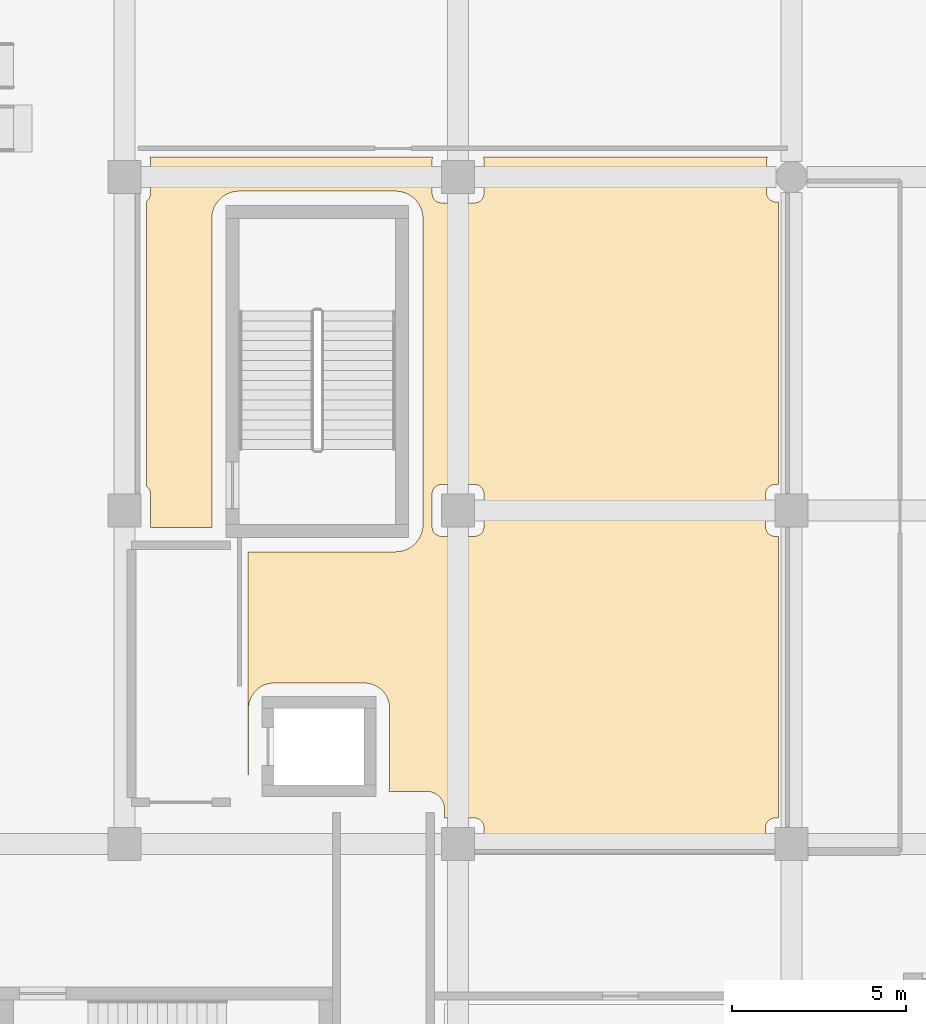
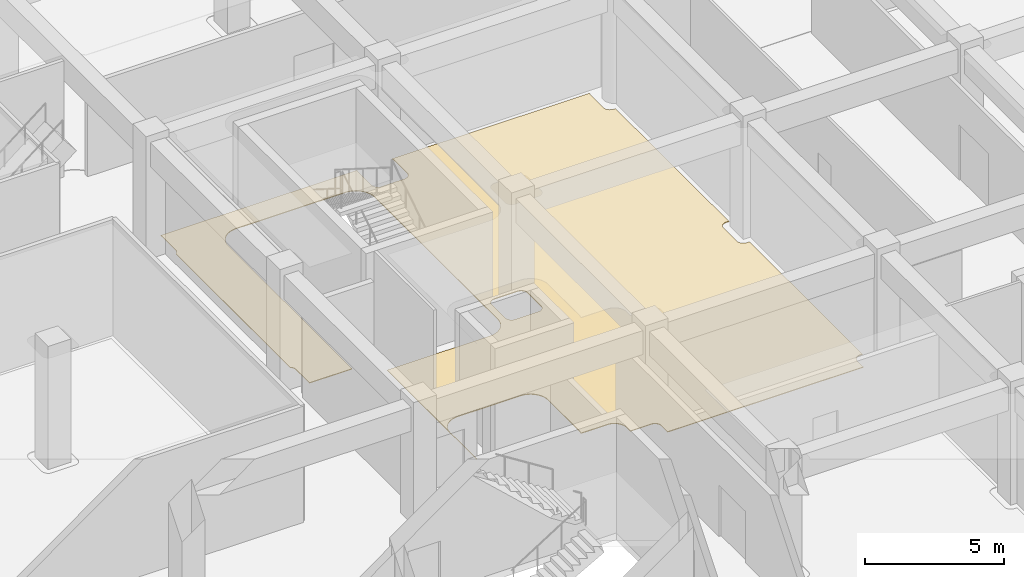
# One storey, part 49 of 74: 1 covering.
"""IFC4 building model written with IfcOpenShell, lengths in metres."""

from ifc_helpers import new_model, si_unit, direction, origin, place, context, subcontext, project, spatial, polyline, outline, extrude, material, layer, layer_set, type_object, element, save


model = new_model("IFC4")

# Units and contexts
model_context = context("Model", 3, precision=1e-05, world=origin(), true_north=direction((0.0, 1.0)))
body_context = subcontext(model_context, "Body", "Model", "MODEL_VIEW")
ifc_project = project(units=[si_unit("LENGTHUNIT", "METRE"), si_unit("AREAUNIT", "SQUARE_METRE"), si_unit("VOLUMEUNIT", "CUBIC_METRE"), si_unit("PLANEANGLEUNIT", "RADIAN"), si_unit("MASSUNIT", "GRAM", prefix="KILO")], contexts=[model_context])

# Site, building, storey
site_placement = place(None, origin())
site = spatial("IfcSite", under=ifc_project, at=site_placement, CompositionType="ELEMENT")
building_placement = place(site_placement, origin())
building = spatial("IfcBuilding", under=site, at=building_placement, Name="Cendralis Terraced Arcade", CompositionType="ELEMENT")
storey_placement = place(building_placement, origin())
storey = spatial("IfcBuildingStorey", under=building, at=storey_placement, Name="L00", CompositionType="ELEMENT", Elevation=0.0)

# Covering
ifc_material = material(Name="Polished Bogota limestone terrazzo flooring", Category="masonry")
ifc_layer = layer(ifc_material, 0.030029296875, Name="COV-FLR-TERZ-30")
ifc_layer_set = layer_set([ifc_layer], Name="Polished Bogota limestone terrazzo flooring")
covering_type = type_object("IfcCoveringType", Name="COV-FLR-TERZ-30", PredefinedType="FLOORING", material=ifc_layer_set)
covering_placement = place(storey_placement, origin())
element("IfcCovering", 1, at=covering_placement, inside=storey, type_object=covering_type, Name="Interior Finish Flooring L00-030", PredefinedType="FLOORING", context=body_context, shape_type="SweptSolid", body=[
    extrude(outline(polyline([(48.74462890625, 28.310791015625), (48.74462890625, 28.312744140625), (48.7451171875, 28.324951171875), (48.7451171875, 29.27490234375), (48.74462890625, 29.287353515625), (48.74462890625, 29.289306640625), (48.7421875, 29.313720703125), (48.741943359375, 29.315673828125), (48.737060546875, 29.339599609375), (48.736572265625, 29.341552734375), (48.7294921875, 29.364990234375), (48.72900390625, 29.366943359375), (48.719482421875, 29.389404296875), (48.718505859375, 29.391357421875), (48.70703125, 29.4130859375), (48.7060546875, 29.41455078125), (48.6923828125, 29.43505859375), (48.69140625, 29.4365234375), (48.67578125, 29.45556640625), (48.67431640625, 29.45703125), (48.656982421875, 29.474365234375), (48.655517578125, 29.4755859375), (48.63671875, 29.4912109375), (48.635009765625, 29.492431640625), (48.6298828125, 29.495849609375), (48.6298828125, 37.7041015625), (48.635009765625, 37.70751953125), (48.63671875, 37.708740234375), (48.655517578125, 37.724365234375), (48.656982421875, 37.7255859375), (48.67431640625, 37.742919921875), (48.67578125, 37.744384765625), (48.69140625, 37.763427734375), (48.6923828125, 37.764892578125), (48.7060546875, 37.785400390625), (48.70703125, 37.787109375), (48.718505859375, 37.80859375), (48.719482421875, 37.810546875), (48.72900390625, 37.8330078125), (48.7294921875, 37.8349609375), (48.736572265625, 37.8583984375), (48.737060546875, 37.8603515625), (48.741943359375, 37.884521484375), (48.7421875, 37.886474609375), (48.74462890625, 37.910888671875), (48.74462890625, 37.91259765625), (48.7451171875, 37.925048828125), (48.7451171875, 38.875), (48.74462890625, 38.88720703125), (48.74462890625, 38.88916015625), (48.7421875, 38.91357421875), (48.741943359375, 38.91552734375), (48.737060546875, 38.939697265625), (48.736572265625, 38.941650390625), (48.7294921875, 38.965087890625), (48.72900390625, 38.966796875), (48.7275390625, 38.969970703125), (56.872314453125, 38.969970703125), (56.87109375, 38.966796875), (56.87060546875, 38.965087890625), (56.86328125, 38.941650390625), (56.86279296875, 38.939697265625), (56.858154296875, 38.91552734375), (56.85791015625, 38.91357421875), (56.85546875, 38.88916015625), (56.855224609375, 38.88720703125), (56.85498046875, 38.875), (56.85498046875, 37.925048828125), (56.855224609375, 37.91259765625), (56.85546875, 37.910888671875), (56.85791015625, 37.886474609375), (56.858154296875, 37.884521484375), (56.86279296875, 37.8603515625), (56.86328125, 37.8583984375), (56.87060546875, 37.8349609375), (56.87109375, 37.8330078125), (56.880615234375, 37.810546875), (56.88134765625, 37.80859375), (56.892822265625, 37.787109375), (56.893798828125, 37.785400390625), (56.90771484375, 37.764892578125), (56.90869140625, 37.763427734375), (56.92431640625, 37.744384765625), (56.925537109375, 37.742919921875), (56.943115234375, 37.7255859375), (56.9443359375, 37.724365234375), (56.96337890625, 37.708740234375), (56.965087890625, 37.70751953125), (56.9853515625, 37.69384765625), (56.987060546875, 37.69287109375), (57.0087890625, 37.681396484375), (57.010498046875, 37.680419921875), (57.033203125, 37.671142578125), (57.034912109375, 37.67041015625), (57.058349609375, 37.663330078125), (57.060302734375, 37.662841796875), (57.08447265625, 37.658203125), (57.08642578125, 37.65771484375), (57.11083984375, 37.655517578125), (57.11279296875, 37.6552734375), (57.125, 37.655029296875), (58.074951171875, 37.655029296875), (58.08740234375, 37.6552734375), (58.089111328125, 37.655517578125), (58.113525390625, 37.65771484375), (58.115478515625, 37.658203125), (58.1396484375, 37.662841796875), (58.1416015625, 37.663330078125), (58.1650390625, 37.67041015625), (58.1669921875, 37.671142578125), (58.189453125, 37.680419921875), (58.19140625, 37.681396484375), (58.212890625, 37.69287109375), (58.214599609375, 37.69384765625), (58.235107421875, 37.70751953125), (58.236572265625, 37.708740234375), (58.255615234375, 37.724365234375), (58.257080078125, 37.7255859375), (58.2744140625, 37.742919921875), (58.275634765625, 37.744384765625), (58.291259765625, 37.763427734375), (58.29248046875, 37.764892578125), (58.30615234375, 37.785400390625), (58.30712890625, 37.787109375), (58.318603515625, 37.80859375), (58.319580078125, 37.810546875), (58.328857421875, 37.8330078125), (58.32958984375, 37.8349609375), (58.336669921875, 37.8583984375), (58.337158203125, 37.8603515625), (58.341796875, 37.884521484375), (58.34228515625, 37.886474609375), (58.344482421875, 37.910888671875), (58.3447265625, 37.91259765625), (58.344970703125, 37.925048828125), (58.344970703125, 38.875), (58.3447265625, 38.88720703125), (58.344482421875, 38.88916015625), (58.34228515625, 38.91357421875), (58.341796875, 38.91552734375), (58.337158203125, 38.939697265625), (58.336669921875, 38.941650390625), (58.32958984375, 38.965087890625), (58.328857421875, 38.966796875), (58.32763671875, 38.969970703125), (66.50830078125, 38.969970703125), (66.50634765625, 38.96630859375), (66.505615234375, 38.964599609375), (66.49609375, 38.94189453125), (66.49560546875, 38.93994140625), (66.48828125, 38.91650390625), (66.48779296875, 38.91455078125), (66.483154296875, 38.890625), (66.48291015625, 38.888671875), (66.48046875, 38.8642578125), (66.480224609375, 38.8623046875), (66.47998046875, 38.85009765625), (66.47998046875, 37.949951171875), (66.480224609375, 37.937744140625), (66.48046875, 37.935791015625), (66.48291015625, 37.911376953125), (66.483154296875, 37.909423828125), (66.48779296875, 37.885498046875), (66.48828125, 37.88330078125), (66.49560546875, 37.860107421875), (66.49609375, 37.858154296875), (66.505615234375, 37.83544921875), (66.50634765625, 37.833740234375), (66.517822265625, 37.81201171875), (66.518798828125, 37.810302734375), (66.53271484375, 37.7900390625), (66.53369140625, 37.788330078125), (66.54931640625, 37.769287109375), (66.550537109375, 37.76806640625), (66.568115234375, 37.75048828125), (66.5693359375, 37.749267578125), (66.58837890625, 37.733642578125), (66.590087890625, 37.732666015625), (66.6103515625, 37.718994140625), (66.612060546875, 37.718017578125), (66.6337890625, 37.706298828125), (66.635498046875, 37.70556640625), (66.658203125, 37.696044921875), (66.659912109375, 37.695556640625), (66.683349609375, 37.6884765625), (66.685302734375, 37.68798828125), (66.70947265625, 37.68310546875), (66.71142578125, 37.682861328125), (66.73583984375, 37.680419921875), (66.73779296875, 37.680419921875), (66.75, 37.679931640625), (66.830078125, 37.679931640625), (66.830078125, 29.544921875), (66.72509765625, 29.544921875), (66.712646484375, 29.544677734375), (66.710693359375, 29.544677734375), (66.686279296875, 29.542236328125), (66.684326171875, 29.5419921875), (66.660400390625, 29.537109375), (66.658447265625, 29.53662109375), (66.635009765625, 29.529541015625), (66.633056640625, 29.52880859375), (66.610595703125, 29.51953125), (66.608642578125, 29.5185546875), (66.5869140625, 29.507080078125), (66.58544921875, 29.506103515625), (66.56494140625, 29.492431640625), (66.5634765625, 29.4912109375), (66.54443359375, 29.4755859375), (66.54296875, 29.474365234375), (66.525634765625, 29.45703125), (66.5244140625, 29.45556640625), (66.5087890625, 29.4365234375), (66.507568359375, 29.43505859375), (66.493896484375, 29.41455078125), (66.492919921875, 29.4130859375), (66.4814453125, 29.391357421875), (66.48046875, 29.389404296875), (66.47119140625, 29.366943359375), (66.470458984375, 29.364990234375), (66.46337890625, 29.341552734375), (66.462890625, 29.339599609375), (66.4580078125, 29.315673828125), (66.457763671875, 29.313720703125), (66.455322265625, 29.289306640625), (66.455322265625, 29.287353515625), (66.455078125, 29.27490234375), (66.455078125, 28.324951171875), (66.455322265625, 28.312744140625), (66.455322265625, 28.310791015625), (66.457763671875, 28.286376953125), (66.4580078125, 28.284423828125), (66.462890625, 28.260498046875), (66.46337890625, 28.25830078125), (66.470458984375, 28.235107421875), (66.47119140625, 28.233154296875), (66.48046875, 28.21044921875), (66.4814453125, 28.208740234375), (66.492919921875, 28.18701171875), (66.493896484375, 28.185302734375), (66.507568359375, 28.1650390625), (66.5087890625, 28.163330078125), (66.5244140625, 28.144287109375), (66.525634765625, 28.14306640625), (66.54296875, 28.12548828125), (66.54443359375, 28.124267578125), (66.5634765625, 28.108642578125), (66.56494140625, 28.107666015625), (66.58544921875, 28.093994140625), (66.5869140625, 28.093017578125), (66.608642578125, 28.081298828125), (66.610595703125, 28.08056640625), (66.633056640625, 28.071044921875), (66.635009765625, 28.070556640625), (66.658447265625, 28.0634765625), (66.660400390625, 28.06298828125), (66.684326171875, 28.05810546875), (66.686279296875, 28.057861328125), (66.710693359375, 28.055419921875), (66.712646484375, 28.055419921875), (66.72509765625, 28.054931640625), (66.830078125, 28.054931640625), (66.830078125, 19.945068359375), (66.72509765625, 19.945068359375), (66.712646484375, 19.944580078125), (66.710693359375, 19.944580078125), (66.686279296875, 19.942138671875), (66.684326171875, 19.94189453125), (66.660400390625, 19.93701171875), (66.658447265625, 19.9365234375), (66.635009765625, 19.929443359375), (66.633056640625, 19.928955078125), (66.610595703125, 19.91943359375), (66.608642578125, 19.918701171875), (66.5869140625, 19.906982421875), (66.58544921875, 19.906005859375), (66.56494140625, 19.892333984375), (66.5634765625, 19.891357421875), (66.54443359375, 19.875732421875), (66.54296875, 19.87451171875), (66.525634765625, 19.85693359375), (66.5244140625, 19.855712890625), (66.5087890625, 19.836669921875), (66.507568359375, 19.8349609375), (66.493896484375, 19.814697265625), (66.492919921875, 19.81298828125), (66.4814453125, 19.791259765625), (66.48046875, 19.78955078125), (66.47119140625, 19.766845703125), (66.470458984375, 19.764892578125), (66.46337890625, 19.74169921875), (66.462890625, 19.739501953125), (66.4580078125, 19.715576171875), (66.457763671875, 19.713623046875), (66.455322265625, 19.689208984375), (66.455322265625, 19.687255859375), (66.455078125, 19.675048828125), (66.455078125, 19.22998046875), (58.344970703125, 19.22998046875), (58.344970703125, 19.675048828125), (58.3447265625, 19.687255859375), (58.344482421875, 19.689208984375), (58.34228515625, 19.713623046875), (58.341796875, 19.715576171875), (58.337158203125, 19.739501953125), (58.336669921875, 19.74169921875), (58.32958984375, 19.764892578125), (58.328857421875, 19.766845703125), (58.319580078125, 19.78955078125), (58.318603515625, 19.791259765625), (58.30712890625, 19.81298828125), (58.30615234375, 19.814697265625), (58.29248046875, 19.8349609375), (58.291259765625, 19.836669921875), (58.275634765625, 19.855712890625), (58.2744140625, 19.85693359375), (58.257080078125, 19.87451171875), (58.255615234375, 19.875732421875), (58.236572265625, 19.891357421875), (58.235107421875, 19.892333984375), (58.214599609375, 19.906005859375), (58.212890625, 19.906982421875), (58.19140625, 19.918701171875), (58.189453125, 19.91943359375), (58.1669921875, 19.928955078125), (58.1650390625, 19.929443359375), (58.1416015625, 19.9365234375), (58.1396484375, 19.93701171875), (58.115478515625, 19.94189453125), (58.113525390625, 19.942138671875), (58.089111328125, 19.944580078125), (58.08740234375, 19.944580078125), (58.074951171875, 19.945068359375), (57.2099609375, 19.945068359375), (57.2099609375, 20.199951171875), (57.2099609375, 20.2060546875), (57.209716796875, 20.2119140625), (57.209716796875, 20.21826171875), (57.208984375, 20.23193359375), (57.2080078125, 20.244140625), (57.206787109375, 20.255859375), (57.205322265625, 20.26806640625), (57.203369140625, 20.281494140625), (57.201171875, 20.293701171875), (57.198974609375, 20.30517578125), (57.1962890625, 20.317138671875), (57.19287109375, 20.33056640625), (57.189697265625, 20.34228515625), (57.186279296875, 20.353515625), (57.182373046875, 20.365234375), (57.177734375, 20.378173828125), (57.17333984375, 20.3896484375), (57.168701171875, 20.400634765625), (57.163818359375, 20.411865234375), (57.157958984375, 20.42431640625), (57.15234375, 20.435302734375), (57.14697265625, 20.445556640625), (57.140869140625, 20.456298828125), (57.1337890625, 20.468017578125), (57.127197265625, 20.478515625), (57.12060546875, 20.48828125), (57.113525390625, 20.498291015625), (57.10546875, 20.50927734375), (57.097900390625, 20.518798828125), (57.09033203125, 20.528076171875), (57.08251953125, 20.537353515625), (57.072998046875, 20.547607421875), (57.064697265625, 20.556396484375), (57.056396484375, 20.564697265625), (57.047607421875, 20.572998046875), (57.037353515625, 20.58251953125), (57.028076171875, 20.59033203125), (57.018798828125, 20.597900390625), (57.00927734375, 20.60546875), (56.998291015625, 20.613525390625), (56.98828125, 20.62060546875), (56.978515625, 20.627197265625), (56.968017578125, 20.6337890625), (56.956298828125, 20.640869140625), (56.945556640625, 20.64697265625), (56.935302734375, 20.65234375), (56.92431640625, 20.657958984375), (56.911865234375, 20.663818359375), (56.900634765625, 20.668701171875), (56.8896484375, 20.67333984375), (56.878173828125, 20.677734375), (56.865234375, 20.682373046875), (56.853515625, 20.686279296875), (56.84228515625, 20.689697265625), (56.83056640625, 20.69287109375), (56.817138671875, 20.6962890625), (56.80517578125, 20.698974609375), (56.793701171875, 20.701171875), (56.781494140625, 20.703369140625), (56.76806640625, 20.705322265625), (56.755859375, 20.706787109375), (56.744140625, 20.7080078125), (56.73193359375, 20.708984375), (56.71826171875, 20.709716796875), (56.7119140625, 20.709716796875), (56.7060546875, 20.7099609375), (56.699951171875, 20.7099609375), (55.6044921875, 20.7099609375), (55.612060546875, 20.739990234375), (55.61474609375, 20.751708984375), (55.616943359375, 20.763427734375), (55.619140625, 20.775390625), (55.624267578125, 20.810302734375), (55.625732421875, 20.822509765625), (55.626953125, 20.834228515625), (55.627685546875, 20.8466796875), (55.629638671875, 20.8818359375), (55.6298828125, 20.887939453125), (55.6298828125, 20.893798828125), (55.6298828125, 20.89990234375), (55.6298828125, 23.10009765625), (55.6298828125, 23.106201171875), (55.6298828125, 23.112060546875), (55.629638671875, 23.1181640625), (55.627685546875, 23.1533203125), (55.626953125, 23.165771484375), (55.625732421875, 23.177490234375), (55.624267578125, 23.189697265625), (55.619140625, 23.224609375), (55.616943359375, 23.236572265625), (55.61474609375, 23.248291015625), (55.612060546875, 23.260009765625), (55.603515625, 23.29443359375), (55.60009765625, 23.30615234375), (55.5966796875, 23.3173828125), (55.593017578125, 23.3291015625), (55.5810546875, 23.3623046875), (55.57666015625, 23.373779296875), (55.572021484375, 23.384765625), (55.567138671875, 23.39599609375), (55.552001953125, 23.427978515625), (55.54638671875, 23.43896484375), (55.541015625, 23.44921875), (55.534912109375, 23.4599609375), (55.5166015625, 23.490234375), (55.510009765625, 23.50048828125), (55.503662109375, 23.510498046875), (55.49658203125, 23.5205078125), (55.4755859375, 23.548828125), (55.468017578125, 23.55859375), (55.46044921875, 23.567626953125), (55.452392578125, 23.576904296875), (55.4287109375, 23.60302734375), (55.420166015625, 23.61181640625), (55.411865234375, 23.6201171875), (55.403076171875, 23.628662109375), (55.376953125, 23.65234375), (55.36767578125, 23.660400390625), (55.3583984375, 23.66796875), (55.348876953125, 23.675537109375), (55.3203125, 23.696533203125), (55.310302734375, 23.70361328125), (55.300537109375, 23.710205078125), (55.290283203125, 23.716796875), (55.260009765625, 23.73486328125), (55.249267578125, 23.740966796875), (55.239013671875, 23.74658203125), (55.227783203125, 23.751953125), (55.196044921875, 23.76708984375), (55.184814453125, 23.77197265625), (55.173828125, 23.776611328125), (55.162353515625, 23.781005859375), (55.129150390625, 23.79296875), (55.117431640625, 23.796630859375), (55.106201171875, 23.800048828125), (55.094482421875, 23.803466796875), (55.06005859375, 23.81201171875), (55.048095703125, 23.814697265625), (55.03662109375, 23.81689453125), (55.0244140625, 23.819091796875), (54.989501953125, 23.82421875), (54.977294921875, 23.82568359375), (54.9658203125, 23.826904296875), (54.953369140625, 23.827880859375), (54.918212890625, 23.82958984375), (54.912109375, 23.829833984375), (54.906005859375, 23.829833984375), (54.89990234375, 23.830078125), (52.300048828125, 23.830078125), (52.2939453125, 23.829833984375), (52.2880859375, 23.829833984375), (52.28173828125, 23.82958984375), (52.24658203125, 23.827880859375), (52.234375, 23.826904296875), (52.22265625, 23.82568359375), (52.21044921875, 23.82421875), (52.175537109375, 23.819091796875), (52.163330078125, 23.81689453125), (52.15185546875, 23.814697265625), (52.139892578125, 23.81201171875), (52.105712890625, 23.803466796875), (52.09375, 23.800048828125), (52.08251953125, 23.796630859375), (52.07080078125, 23.79296875), (52.03759765625, 23.781005859375), (52.026123046875, 23.776611328125), (52.015380859375, 23.77197265625), (52.00390625, 23.76708984375), (51.97216796875, 23.751953125), (51.961181640625, 23.74658203125), (51.95068359375, 23.740966796875), (51.940185546875, 23.73486328125), (51.909912109375, 23.716796875), (51.8994140625, 23.710205078125), (51.8896484375, 23.70361328125), (51.879638671875, 23.696533203125), (51.851318359375, 23.675537109375), (51.841552734375, 23.66796875), (51.83251953125, 23.660400390625), (51.822998046875, 23.65234375), (51.797119140625, 23.628662109375), (51.7880859375, 23.6201171875), (51.77978515625, 23.61181640625), (51.771240234375, 23.60302734375), (51.74755859375, 23.576904296875), (51.739501953125, 23.567626953125), (51.732177734375, 23.55859375), (51.724609375, 23.548828125), (51.70361328125, 23.5205078125), (51.6962890625, 23.510498046875), (51.68994140625, 23.50048828125), (51.683349609375, 23.490234375), (51.6650390625, 23.4599609375), (51.6591796875, 23.44921875), (51.653564453125, 23.43896484375), (51.64794921875, 23.427978515625), (51.6328125, 23.39599609375), (51.6279296875, 23.384765625), (51.623291015625, 23.373779296875), (51.618896484375, 23.3623046875), (51.607177734375, 23.3291015625), (51.603271484375, 23.3173828125), (51.599853515625, 23.30615234375), (51.5966796875, 23.29443359375), (51.587890625, 23.260009765625), (51.585205078125, 23.248291015625), (51.5830078125, 23.236572265625), (51.580810546875, 23.224609375), (51.57568359375, 23.189697265625), (51.57421875, 23.177490234375), (51.572998046875, 23.165771484375), (51.572265625, 23.1533203125), (51.5703125, 23.1181640625), (51.5703125, 23.112060546875), (51.570068359375, 23.106201171875), (51.570068359375, 23.10009765625), (51.570068359375, 21.188720703125), (51.56005859375, 21.187255859375), (51.56005859375, 27.610107421875), (55.800048828125, 27.610107421875), (55.80615234375, 27.610107421875), (55.81201171875, 27.610107421875), (55.818115234375, 27.6103515625), (55.859375, 27.612548828125), (55.87158203125, 27.61328125), (55.88330078125, 27.614501953125), (55.8955078125, 27.615966796875), (55.936279296875, 27.6220703125), (55.9482421875, 27.624267578125), (55.9599609375, 27.62646484375), (55.9716796875, 27.629150390625), (56.01171875, 27.63916015625), (56.023681640625, 27.642333984375), (56.034912109375, 27.64599609375), (56.046630859375, 27.649658203125), (56.08544921875, 27.66357421875), (56.0966796875, 27.66796875), (56.107666015625, 27.672607421875), (56.118896484375, 27.677490234375), (56.15625, 27.695068359375), (56.1669921875, 27.70068359375), (56.177490234375, 27.706298828125), (56.188232421875, 27.712158203125), (56.2236328125, 27.7333984375), (56.23388671875, 27.739990234375), (56.24365234375, 27.74658203125), (56.253662109375, 27.753662109375), (56.286865234375, 27.778076171875), (56.29638671875, 27.78564453125), (56.3056640625, 27.793212890625), (56.31494140625, 27.80126953125), (56.345458984375, 27.828857421875), (56.354248046875, 27.83740234375), (56.36279296875, 27.845703125), (56.37109375, 27.8544921875), (56.398681640625, 27.885009765625), (56.40673828125, 27.894287109375), (56.414306640625, 27.903564453125), (56.421875, 27.9130859375), (56.4462890625, 27.9462890625), (56.45361328125, 27.956298828125), (56.4599609375, 27.966064453125), (56.466552734375, 27.976318359375), (56.48779296875, 28.01171875), (56.493896484375, 28.0224609375), (56.49951171875, 28.032958984375), (56.5048828125, 28.043701171875), (56.5224609375, 28.0810546875), (56.527587890625, 28.09228515625), (56.531982421875, 28.103271484375), (56.536376953125, 28.114501953125), (56.55029296875, 28.1533203125), (56.55419921875, 28.1650390625), (56.5576171875, 28.176513671875), (56.560791015625, 28.188232421875), (56.57080078125, 28.228271484375), (56.573486328125, 28.239990234375), (56.57568359375, 28.251708984375), (56.577880859375, 28.263916015625), (56.583984375, 28.304443359375), (56.58544921875, 28.316650390625), (56.586669921875, 28.328369140625), (56.58740234375, 28.3408203125), (56.589599609375, 28.3818359375), (56.58984375, 28.387939453125), (56.58984375, 28.393798828125), (56.590087890625, 28.39990234375), (56.590087890625, 37.199951171875), (56.58984375, 37.2060546875), (56.58984375, 37.2119140625), (56.589599609375, 37.21826171875), (56.58740234375, 37.25927734375), (56.586669921875, 37.271484375), (56.58544921875, 37.283203125), (56.583984375, 37.29541015625), (56.577880859375, 37.336181640625), (56.57568359375, 37.348388671875), (56.573486328125, 37.35986328125), (56.57080078125, 37.371826171875), (56.560791015625, 37.411865234375), (56.5576171875, 37.423583984375), (56.55419921875, 37.434814453125), (56.55029296875, 37.446533203125), (56.536376953125, 37.4853515625), (56.531982421875, 37.496826171875), (56.527587890625, 37.5078125), (56.5224609375, 37.518798828125), (56.5048828125, 37.55615234375), (56.49951171875, 37.567138671875), (56.493896484375, 37.577392578125), (56.48779296875, 37.588134765625), (56.466552734375, 37.62353515625), (56.4599609375, 37.6337890625), (56.45361328125, 37.643798828125), (56.4462890625, 37.65380859375), (56.421875, 37.68701171875), (56.414306640625, 37.696533203125), (56.40673828125, 37.70556640625), (56.398681640625, 37.71484375), (56.37109375, 37.74560546875), (56.36279296875, 37.75439453125), (56.354248046875, 37.7626953125), (56.345458984375, 37.77099609375), (56.31494140625, 37.798828125), (56.3056640625, 37.806884765625), (56.29638671875, 37.814208984375), (56.286865234375, 37.822021484375), (56.253662109375, 37.846435546875), (56.24365234375, 37.853515625), (56.23388671875, 37.860107421875), (56.2236328125, 37.86669921875), (56.188232421875, 37.8876953125), (56.177490234375, 37.893798828125), (56.1669921875, 37.8994140625), (56.15625, 37.90478515625), (56.118896484375, 37.922607421875), (56.107666015625, 37.927490234375), (56.0966796875, 37.931884765625), (56.08544921875, 37.936279296875), (56.046630859375, 37.9501953125), (56.034912109375, 37.9541015625), (56.023681640625, 37.95751953125), (56.01171875, 37.960693359375), (55.9716796875, 37.970703125), (55.9599609375, 37.973388671875), (55.9482421875, 37.975830078125), (55.936279296875, 37.977783203125), (55.8955078125, 37.98388671875), (55.88330078125, 37.985595703125), (55.87158203125, 37.986572265625), (55.859375, 37.987548828125), (55.818115234375, 37.989501953125), (55.81201171875, 37.98974609375), (55.80615234375, 37.989990234375), (55.800048828125, 37.989990234375), (51.300048828125, 37.989990234375), (51.2939453125, 37.989990234375), (51.2880859375, 37.98974609375), (51.28173828125, 37.989501953125), (51.24072265625, 37.987548828125), (51.228515625, 37.986572265625), (51.216796875, 37.985595703125), (51.20458984375, 37.98388671875), (51.163818359375, 37.977783203125), (51.151611328125, 37.975830078125), (51.14013671875, 37.973388671875), (51.128173828125, 37.970703125), (51.088134765625, 37.960693359375), (51.076416015625, 37.95751953125), (51.065185546875, 37.9541015625), (51.053466796875, 37.9501953125), (51.0146484375, 37.936279296875), (51.003173828125, 37.931884765625), (50.9921875, 37.927490234375), (50.981201171875, 37.922607421875), (50.94384765625, 37.90478515625), (50.932861328125, 37.8994140625), (50.922607421875, 37.893798828125), (50.911865234375, 37.8876953125), (50.87646484375, 37.86669921875), (50.8662109375, 37.860107421875), (50.856201171875, 37.853515625), (50.84619140625, 37.846435546875), (50.81298828125, 37.822021484375), (50.803466796875, 37.814208984375), (50.79443359375, 37.806884765625), (50.78515625, 37.798828125), (50.75439453125, 37.77099609375), (50.74560546875, 37.7626953125), (50.7373046875, 37.75439453125), (50.72900390625, 37.74560546875), (50.701171875, 37.71484375), (50.693115234375, 37.70556640625), (50.685791015625, 37.696533203125), (50.677978515625, 37.68701171875), (50.653564453125, 37.65380859375), (50.646484375, 37.643798828125), (50.639892578125, 37.6337890625), (50.63330078125, 37.62353515625), (50.6123046875, 37.588134765625), (50.606201171875, 37.577392578125), (50.6005859375, 37.567138671875), (50.59521484375, 37.55615234375), (50.577392578125, 37.518798828125), (50.572509765625, 37.5078125), (50.568115234375, 37.496826171875), (50.563720703125, 37.4853515625), (50.5498046875, 37.446533203125), (50.5458984375, 37.434814453125), (50.54248046875, 37.423583984375), (50.539306640625, 37.411865234375), (50.529296875, 37.371826171875), (50.526611328125, 37.35986328125), (50.524169921875, 37.348388671875), (50.522216796875, 37.336181640625), (50.51611328125, 37.29541015625), (50.514404296875, 37.283203125), (50.513427734375, 37.271484375), (50.512451171875, 37.25927734375), (50.510498046875, 37.21826171875), (50.51025390625, 37.2119140625), (50.510009765625, 37.2060546875), (50.510009765625, 37.199951171875), (50.510009765625, 28.39990234375), (50.510009765625, 28.393798828125), (50.51025390625, 28.387939453125), (50.510498046875, 28.3818359375), (50.512451171875, 28.3408203125), (50.513427734375, 28.328369140625), (50.514404296875, 28.316650390625), (50.515380859375, 28.31005859375), (48.744384765625, 28.31005859375), (48.74462890625, 28.310791015625)]), holes=[polyline([(56.9853515625, 28.093994140625), (56.987060546875, 28.093017578125), (57.0087890625, 28.081298828125), (57.010498046875, 28.08056640625), (57.033203125, 28.071044921875), (57.034912109375, 28.070556640625), (57.058349609375, 28.0634765625), (57.060302734375, 28.06298828125), (57.08447265625, 28.05810546875), (57.08642578125, 28.057861328125), (57.11083984375, 28.055419921875), (57.11279296875, 28.055419921875), (57.125, 28.054931640625), (58.074951171875, 28.054931640625), (58.08740234375, 28.055419921875), (58.089111328125, 28.055419921875), (58.113525390625, 28.057861328125), (58.115478515625, 28.05810546875), (58.1396484375, 28.06298828125), (58.1416015625, 28.0634765625), (58.1650390625, 28.070556640625), (58.1669921875, 28.071044921875), (58.189453125, 28.08056640625), (58.19140625, 28.081298828125), (58.212890625, 28.093017578125), (58.214599609375, 28.093994140625), (58.235107421875, 28.107666015625), (58.236572265625, 28.108642578125), (58.255615234375, 28.124267578125), (58.257080078125, 28.12548828125), (58.2744140625, 28.14306640625), (58.275634765625, 28.144287109375), (58.291259765625, 28.163330078125), (58.29248046875, 28.1650390625), (58.30615234375, 28.185302734375), (58.30712890625, 28.18701171875), (58.318603515625, 28.208740234375), (58.319580078125, 28.21044921875), (58.328857421875, 28.233154296875), (58.32958984375, 28.235107421875), (58.336669921875, 28.25830078125), (58.337158203125, 28.260498046875), (58.341796875, 28.284423828125), (58.34228515625, 28.286376953125), (58.344482421875, 28.310791015625), (58.3447265625, 28.312744140625), (58.344970703125, 28.324951171875), (58.344970703125, 29.27490234375), (58.3447265625, 29.287353515625), (58.344482421875, 29.289306640625), (58.34228515625, 29.313720703125), (58.341796875, 29.315673828125), (58.337158203125, 29.339599609375), (58.336669921875, 29.341552734375), (58.32958984375, 29.364990234375), (58.328857421875, 29.366943359375), (58.319580078125, 29.389404296875), (58.318603515625, 29.391357421875), (58.30712890625, 29.4130859375), (58.30615234375, 29.41455078125), (58.29248046875, 29.43505859375), (58.291259765625, 29.4365234375), (58.275634765625, 29.45556640625), (58.2744140625, 29.45703125), (58.257080078125, 29.474365234375), (58.255615234375, 29.4755859375), (58.236572265625, 29.4912109375), (58.235107421875, 29.492431640625), (58.214599609375, 29.506103515625), (58.212890625, 29.507080078125), (58.19140625, 29.5185546875), (58.189453125, 29.51953125), (58.1669921875, 29.52880859375), (58.1650390625, 29.529541015625), (58.1416015625, 29.53662109375), (58.1396484375, 29.537109375), (58.115478515625, 29.5419921875), (58.113525390625, 29.542236328125), (58.089111328125, 29.544677734375), (58.08740234375, 29.544677734375), (58.074951171875, 29.544921875), (57.125, 29.544921875), (57.11279296875, 29.544677734375), (57.11083984375, 29.544677734375), (57.08642578125, 29.542236328125), (57.08447265625, 29.5419921875), (57.060302734375, 29.537109375), (57.058349609375, 29.53662109375), (57.034912109375, 29.529541015625), (57.033203125, 29.52880859375), (57.010498046875, 29.51953125), (57.0087890625, 29.5185546875), (56.987060546875, 29.507080078125), (56.9853515625, 29.506103515625), (56.965087890625, 29.492431640625), (56.96337890625, 29.4912109375), (56.9443359375, 29.4755859375), (56.943115234375, 29.474365234375), (56.925537109375, 29.45703125), (56.92431640625, 29.45556640625), (56.90869140625, 29.4365234375), (56.90771484375, 29.43505859375), (56.893798828125, 29.41455078125), (56.892822265625, 29.4130859375), (56.88134765625, 29.391357421875), (56.880615234375, 29.389404296875), (56.87109375, 29.366943359375), (56.87060546875, 29.364990234375), (56.86328125, 29.341552734375), (56.86279296875, 29.339599609375), (56.858154296875, 29.315673828125), (56.85791015625, 29.313720703125), (56.85546875, 29.289306640625), (56.855224609375, 29.287353515625), (56.85498046875, 29.27490234375), (56.85498046875, 28.324951171875), (56.855224609375, 28.312744140625), (56.85546875, 28.310791015625), (56.85791015625, 28.286376953125), (56.858154296875, 28.284423828125), (56.86279296875, 28.260498046875), (56.86328125, 28.25830078125), (56.87060546875, 28.235107421875), (56.87109375, 28.233154296875), (56.880615234375, 28.21044921875), (56.88134765625, 28.208740234375), (56.892822265625, 28.18701171875), (56.893798828125, 28.185302734375), (56.90771484375, 28.1650390625), (56.90869140625, 28.163330078125), (56.92431640625, 28.144287109375), (56.925537109375, 28.14306640625), (56.943115234375, 28.12548828125), (56.9443359375, 28.124267578125), (56.96337890625, 28.108642578125), (56.965087890625, 28.107666015625), (56.9853515625, 28.093994140625)])]), origin(), (0.0, 0.0, 1.0), 0.030029296875),
])

save(model, "model.ifc")
